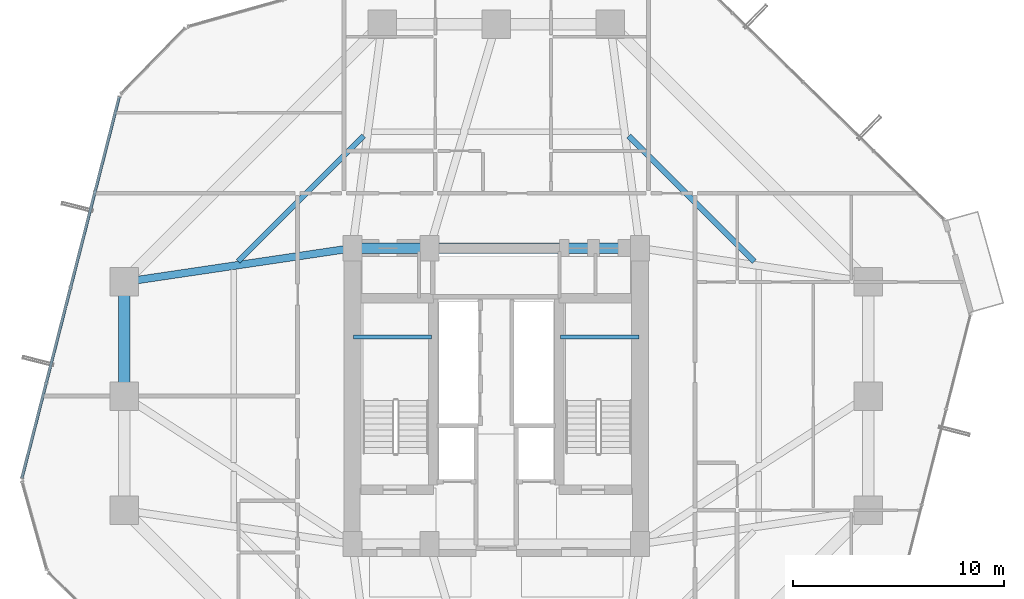
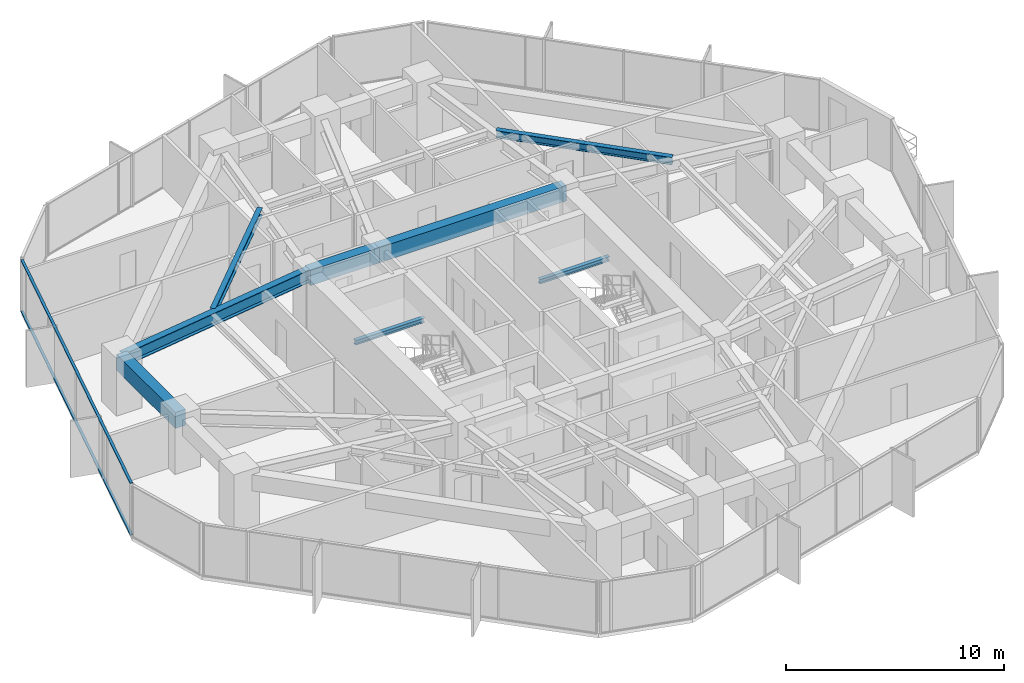
# One storey, part 12 of 39: 8 beams, 2 members, 1 element without a shape of its own.
"""IFC4 building model written with IfcOpenShell, lengths in metres."""

from ifc_helpers import new_model, si_unit, direction, frame, origin, origin_2d, place, context, subcontext, project, spatial, rectangle, hollow_rectangle, i_section, extrude, source, transform, mapped, material, layer, layer_set, material_profile, profile_set, type_object, element, aggregate, save


model = new_model("IFC4")

# Units and contexts
model_context = context("Model", 3, precision=1e-05, world=origin(), true_north=direction((0.0, 1.0)))
body_context = subcontext(model_context, "Body", "Model", "MODEL_VIEW")
ifc_project = project(units=[si_unit("LENGTHUNIT", "METRE"), si_unit("AREAUNIT", "SQUARE_METRE"), si_unit("VOLUMEUNIT", "CUBIC_METRE"), si_unit("PLANEANGLEUNIT", "RADIAN"), si_unit("MASSUNIT", "GRAM", prefix="KILO")], contexts=[model_context])

# Site, building, storey
site_placement = place(None, origin())
site = spatial("IfcSite", under=ifc_project, at=site_placement, CompositionType="ELEMENT")
building_placement = place(site_placement, origin())
building = spatial("IfcBuilding", under=site, at=building_placement, Name="Veraguas Prism Commons", CompositionType="ELEMENT")
storey_placement = place(building_placement, frame((0.0, 0.0, 77.10009765625)))
storey = spatial("IfcBuildingStorey", under=building, at=storey_placement, Name="L21", CompositionType="ELEMENT", Elevation=77.10009765625)

# Beams
ifc_material_1 = material(Name="Concrete C50/60", Category="concrete")
ifc_material_profile_1 = material_profile(ifc_material_1, rectangle(XDim=0.5, YDim=0.85009765625, at=origin_2d()), Name="RC500X850")
ifc_profile_set_1 = profile_set([ifc_material_profile_1], Name="Concrete C50/60")
beam_type_1 = type_object("IfcBeamType", Name="Core Coupling Beam RC 500x850", PredefinedType="BEAM", material=ifc_profile_set_1)
beam_1_placement = place(storey_placement, frame((17.199951171875, 31.0, 2.5048828125), z_axis=(1.0, 0.0, 0.0), x_axis=(0.0, 1.0, 0.0)))
element("IfcBeam", 1, at=beam_1_placement, inside=storey, type_object=beam_type_1, Name="Core Coupling Beam L21-CRN1", PredefinedType="BEAM", context=body_context, shape_type="SweptSolid", body=[
    extrude(rectangle(XDim=0.5, YDim=0.85009765625, at=origin_2d()), origin(), (0.0, 0.0, 1.0), 3.650146484375),
])
beam_2_placement = place(storey_placement, frame((20.85009765625, 31.0, 2.5048828125), z_axis=(1.0, 0.0, 0.0), x_axis=(0.0, 1.0, 0.0)))
element("IfcBeam", 2, at=beam_2_placement, inside=storey, type_object=beam_type_1, Name="Core Coupling Beam L21-CRN2", PredefinedType="BEAM", context=body_context, shape_type="SweptSolid", body=[
    extrude(rectangle(XDim=0.5, YDim=0.85009765625, at=origin_2d()), origin(), (0.0, 0.0, 1.0), 9.949951171875),
])
ifc_material_2 = material(Name="Steel ASTM A992 Grade 50", Category="steel")
ifc_material_profile_2 = material_profile(ifc_material_2, i_section(OverallWidth=0.260986328125, OverallDepth=0.419921875, WebThickness=0.01171875, FlangeThickness=0.019287109375, at=origin_2d()), Name="W410X114")
ifc_profile_set_2 = profile_set([ifc_material_profile_2], Name="Steel ASTM A992 Grade 50")
beam_type_2 = type_object("IfcBeamType", Name="Lower Floor Joist W410x114", PredefinedType="JOIST", material=ifc_profile_set_2)
for number, where, z_axis, x_axis, name in (
    (3, (36.20703125, 30.376953125, 2.719970703125), (-0.707092226423, 0.70712133565, 0.0), (-0.70712133565, -0.707092226423, 0.0), "Composite Floor Joist L21-JS03"),
    (4, (17.723388671875, 36.3076171875, 2.719970703125), (-0.707092226423, -0.70712133565, 0.0), (0.70712133565, -0.707092226423, 0.0), "Composite Floor Joist L21-JS06"),
):
    element("IfcBeam", number, at=place(storey_placement, frame(where, z_axis=z_axis, x_axis=x_axis)), inside=storey, type_object=beam_type_2, Name=name, PredefinedType="JOIST", context=body_context, shape_type="SweptSolid", body=[
        extrude(i_section(OverallWidth=0.260986328125, OverallDepth=0.419921875, WebThickness=0.01171875, FlangeThickness=0.019287109375, at=origin_2d()), origin(), (0.0, 0.0, 1.0), 8.386962890625),
    ])
ifc_material_profile_3 = material_profile(ifc_material_1, rectangle(XDim=0.550048828125, YDim=0.89990234375, at=origin_2d()), Name="RC550X900")
ifc_profile_set_3 = profile_set([ifc_material_profile_3], Name="Concrete C50/60")
beam_type_3 = type_object("IfcBeamType", Name="Perimeter Spandrel Lower RC 550x900", PredefinedType="SPANDREL", material=ifc_profile_set_3)
beam_3_placement = place(storey_placement, frame((6.39990234375, 29.39990234375, 2.47998046875), z_axis=(0.0, -1.0, 0.0), x_axis=(1.0, 0.0, 0.0)))
element("IfcBeam", 5, at=beam_3_placement, inside=storey, type_object=beam_type_3, Name="Perimeter Spandrel Beam L21-SP07", PredefinedType="SPANDREL", context=body_context, shape_type="SweptSolid", body=[
    extrude(rectangle(XDim=0.550048828125, YDim=0.89990234375, at=origin_2d()), origin(), (0.0, 0.0, 1.0), 5.39990234375),
])
ifc_material_profile_4 = material_profile(ifc_material_2, i_section(OverallWidth=0.202880859375, OverallDepth=0.251953125, WebThickness=0.008056640625, FlangeThickness=0.013427734375, at=origin_2d()), Name="W250X58")
ifc_profile_set_4 = profile_set([ifc_material_profile_4], Name="Steel ASTM A992 Grade 50")
beam_type_4 = type_object("IfcBeamType", Name="Structural Opening Lintel W250x58", PredefinedType="LINTEL", material=ifc_profile_set_4)
for number, where, z_axis, x_axis, name in (
    (6, (17.25, 26.800048828125, 1.298828125), (1.0, 0.0, 0.0), (0.0, 1.0, 0.0), "Stair ST-01 Half-Landing Support Beam L21-1"),
    (7, (27.050048828125, 26.800048828125, 1.298828125), (1.0, 0.0, 0.0), (0.0, 1.0, 0.0), "Stair ST-02 Half-Landing Support Beam L21-1"),
):
    element("IfcBeam", number, at=place(storey_placement, frame(where, z_axis=z_axis, x_axis=x_axis)), inside=storey, type_object=beam_type_4, Name=name, PredefinedType="LINTEL", context=body_context, shape_type="SweptSolid", body=[
        extrude(i_section(OverallWidth=0.202880859375, OverallDepth=0.251953125, WebThickness=0.008056640625, FlangeThickness=0.013427734375, at=origin_2d()), origin(), (0.0, 0.0, 1.0), 3.699951171875),
    ])
ifc_material_profile_5 = material_profile(ifc_material_2, i_section(OverallWidth=0.35595703125, OverallDepth=0.700927734375, WebThickness=0.016845703125, FlangeThickness=0.02734375, at=origin_2d()), Name="W690X240")
ifc_profile_set_5 = profile_set([ifc_material_profile_5], Name="Steel ASTM A992 Grade 50")
beam_type_5 = type_object("IfcBeamType", Name="Zone 1 Radial Girder W690x240", PredefinedType="BEAM", material=ifc_profile_set_5)
beam_4_placement = place(storey_placement, frame((6.39990234375, 29.39990234375, 2.579345703125), z_axis=(0.989202261707, 0.146556765224, 0.0), x_axis=(-0.146556765224, 0.989202261707, 0.0)))
element("IfcBeam", 8, at=beam_4_placement, inside=storey, type_object=beam_type_5, Name="Radial Floor Girder L21-RD07", PredefinedType="BEAM", context=body_context, shape_type="SweptSolid", body=[
    extrude(i_section(OverallWidth=0.35595703125, OverallDepth=0.700927734375, WebThickness=0.016845703125, FlangeThickness=0.02734375, at=origin_2d()), origin(), (0.0, 0.0, 1.0), 10.91796875),
])

# Curtain wall, members
ifc_material_3 = material(Name="Anodised aluminium EN AW-6063 T6", Category="aluminium")
ifc_layer = layer(ifc_material_3, 0.169921875, Name="Unitised Flush Curtain Wall Zone 1", Category="aluminium")
ifc_layer_set = layer_set([ifc_layer], Name="Anodised aluminium EN AW-6063 T6")
curtain_wall_type = type_object("IfcCurtainWallType", Name="Unitised Flush Curtain Wall Zone 1", PredefinedType="NOTDEFINED", material=ifc_layer_set)
curtain_wall_placement = place(storey_placement, origin())
curtain_wall = element("IfcCurtainWall", 9, at=curtain_wall_placement, inside=storey, type_object=curtain_wall_type, Name="Tower Facade Curtain Wall L21-F3", PredefinedType="NOTDEFINED")
ifc_material_profile_6 = material_profile(ifc_material_3, hollow_rectangle(XDim=0.054931640625, YDim=0.135009765625, WallThickness=0.0029296875, at=origin_2d()), Name="AL55X135X3")
ifc_profile_set_6 = profile_set([ifc_material_profile_6], Name="Anodised aluminium EN AW-6063 T6")
member_type = type_object("IfcMemberType", Name="Curtain Wall Transom Standard AL 55x135x3", PredefinedType="USERDEFINED", material=ifc_profile_set_6)
shared_shape = source(origin(), body_context, "Body", "SweptSolid", [
    extrude(hollow_rectangle(XDim=0.054931640625, YDim=0.135009765625, WallThickness=0.0029296875, at=origin_2d()), origin(), (0.0, 0.0, 1.0), 18.623779296875),
])
member_1_placement = place(storey_placement, frame((6.164306640625, 38.163330078125, 0.02734375), z_axis=(-0.247341349593, -0.968928406427, 0.0), x_axis=(0.0, 0.0, 1.0)))
member_1 = element("IfcMember", 10, at=member_1_placement, type_object=member_type, Name="CW-Z1 Transom 1", ObjectType="TRANSOM", PredefinedType="USERDEFINED", context=body_context, shape_type="MappedRepresentation", body=[
    mapped(shared_shape, transform((0.0, 0.0, 0.0), scale=1.0)),
])
member_2_placement = place(storey_placement, frame((6.164306640625, 38.163330078125, 2.90234375), z_axis=(-0.247341349593, -0.968928406427, 0.0), x_axis=(0.0, 0.0, 1.0)))
member_2 = element("IfcMember", 11, at=member_2_placement, type_object=member_type, Name="CW-Z1 Transom 2", ObjectType="TRANSOM", PredefinedType="USERDEFINED", context=body_context, shape_type="MappedRepresentation", body=[
    mapped(shared_shape, transform((0.0, 0.0, 0.0), scale=1.0)),
])
aggregate(curtain_wall, [member_1, member_2])

save(model, "model.ifc")
